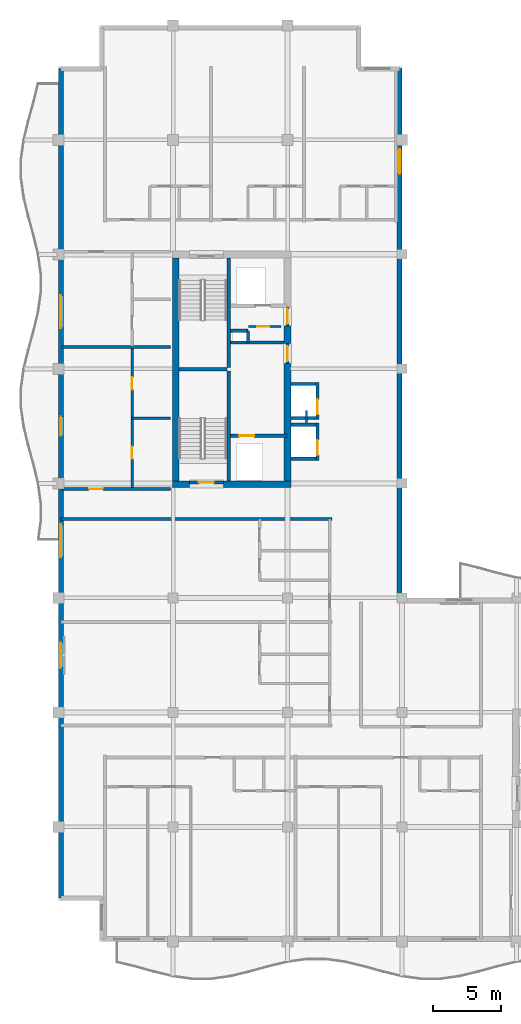
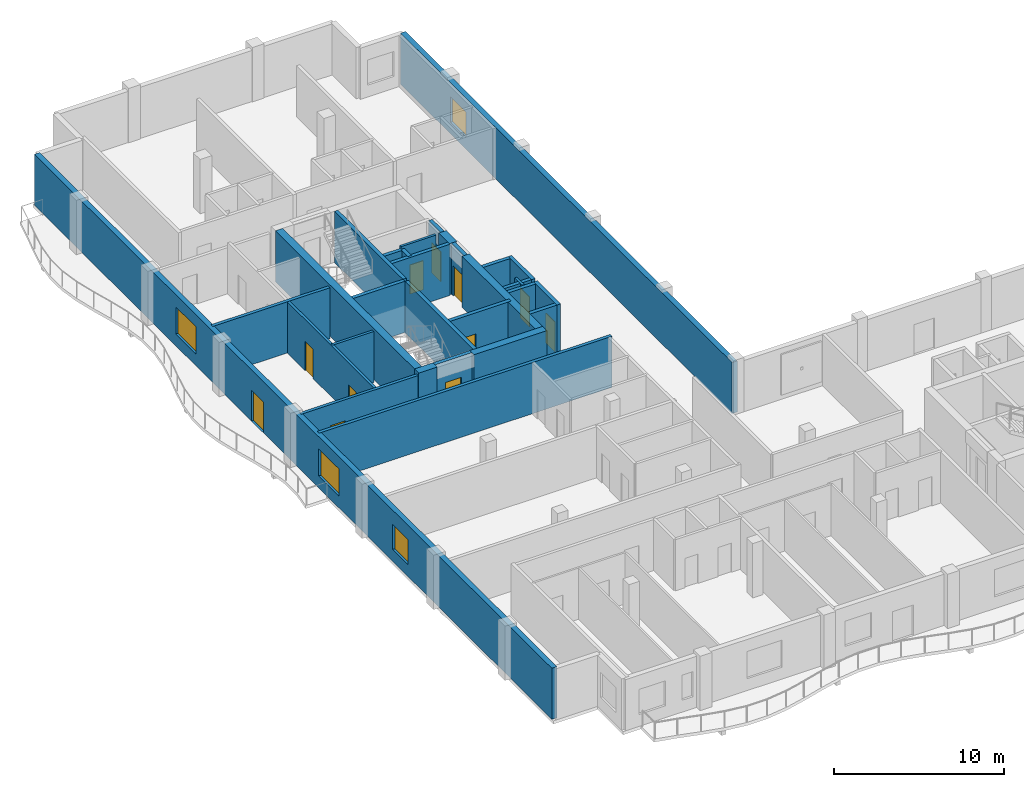
# One storey, part 6 of 12: 30 walls, 11 doors, 4 windows, 15 openings.
"""IFC4 building model written with IfcOpenShell, lengths in metres."""

import ifcopenshell
import ifcopenshell.guid

model = None  # the IFC model being written
_history = None  # IfcOwnerHistory: only IFC2X3 demands one
_inside = {}  # id of a spatial element -> (the spatial element, [elements in it])
_under = {}  # id of a project, library or spatial element -> (it, [spatial elements below it])
_declared = {}  # id of a project -> (the project, [libraries it declares])
_typed = {}  # id of a type object -> (the type object, [elements of that type])
_made_of = {}  # id of a material, layer set ... -> (it, [elements and type objects made of it])


def new_model(schema):
    """Start an empty IFC model of exactly this schema.

    Asked for "IFC4X3", IfcOpenShell would pick the latest addendum, in which some entities
    have other attributes; the version numbers below select the first issue.
    IFC2X3 requires an IfcOwnerHistory on every rooted entity: one is made here for all.
    """
    global model, _history
    if schema == "IFC4X3":
        model = ifcopenshell.file(schema_version=(4, 3, 0, 0))
    else:
        model = ifcopenshell.file(schema=schema)
    _inside.clear()
    _under.clear()
    _declared.clear()
    _typed.clear()
    _made_of.clear()
    _history = None
    if model.schema == "IFC2X3":
        org = make("IfcOrganization", Name="unknown")
        user = make(
            "IfcPersonAndOrganization",
            ThePerson=make("IfcPerson", FamilyName="unknown"),
            TheOrganization=org,
        )
        app = make(
            "IfcApplication",
            ApplicationDeveloper=org,
            Version="unknown",
            ApplicationFullName="unknown",
            ApplicationIdentifier="unknown",
        )
        _history = make(
            "IfcOwnerHistory",
            OwningUser=user,
            OwningApplication=app,
            ChangeAction="ADDED",
            CreationDate=0,
        )
    return model


def make(cls, **values):
    """One entity of the class cls with the attributes given. An attribute that is None is left unset."""
    return model.create_entity(
        cls, **{name: value for name, value in values.items() if value is not None}
    )


def rooted(cls, **values):
    """An entity with a GlobalId (a new one), such as an element, a storey or a relation."""
    return make(cls, GlobalId=ifcopenshell.guid.new(), OwnerHistory=_history, **values)


def si_unit(unit_type, name, prefix=None):
    """IfcSIUnit, for example si_unit("LENGTHUNIT", "METRE", prefix="MILLI")."""
    return make("IfcSIUnit", UnitType=unit_type, Prefix=prefix, Name=name)


def assignment(units):
    """IfcUnitAssignment: the units of a project."""
    return None if units is None else make("IfcUnitAssignment", Units=units)


def point(xyz):
    """IfcCartesianPoint."""
    return None if xyz is None else make("IfcCartesianPoint", Coordinates=xyz)


def direction(xyz):
    """IfcDirection."""
    return None if xyz is None else make("IfcDirection", DirectionRatios=xyz)


def frame(location, z_axis=None, x_axis=None):
    """IfcAxis2Placement3D, a coordinate frame: its origin and axes. An axis left out is left unset."""
    return make(
        "IfcAxis2Placement3D",
        Location=point(location),
        Axis=direction(z_axis),
        RefDirection=direction(x_axis),
    )


def frame_2d(location, x_axis=None):
    """IfcAxis2Placement2D, a coordinate frame in the plane: its origin and x axis."""
    return make(
        "IfcAxis2Placement2D", Location=point(location), RefDirection=direction(x_axis)
    )


def origin():
    """The frame at (0, 0, 0) with its axes left unset."""
    return frame((0.0, 0.0, 0.0))


def place(relative_to, where):
    """IfcLocalPlacement: puts the frame where relative to a parent placement (None: the world)."""
    return make(
        "IfcLocalPlacement", PlacementRelTo=relative_to, RelativePlacement=where
    )


def context(
    kind, dimensions, precision=None, world=None, true_north=None, identifier=None
):
    """IfcGeometricRepresentationContext, for example the 3D "Model" context."""
    return make(
        "IfcGeometricRepresentationContext",
        ContextIdentifier=identifier,
        ContextType=kind,
        CoordinateSpaceDimension=dimensions,
        Precision=precision,
        WorldCoordinateSystem=world,
        TrueNorth=true_north,
    )


def subcontext(parent, identifier, kind, view, scale=None):
    """IfcGeometricRepresentationSubContext, for example "Body" below "Model"."""
    return make(
        "IfcGeometricRepresentationSubContext",
        ContextIdentifier=identifier,
        ContextType=kind,
        ParentContext=parent,
        TargetScale=scale,
        TargetView=view,
    )


def project(units=None, contexts=None):
    """IfcProject with its units and contexts."""
    return rooted(
        "IfcProject",
        Name="project",
        RepresentationContexts=contexts,
        UnitsInContext=assignment(units),
    )


def spatial(cls, under=None, at=None, **own):
    """A site, building, storey or space (cls), placed at a placement, below another one or the project."""
    s = rooted(cls, ObjectPlacement=at, **own)
    if under is not None:
        _under.setdefault(under.id(), (under, []))[1].append(s)
    return s


def profile(cls, at=None, kind="AREA", **sizes):
    """A parametric profile (cls). Its sizes go by their IFC names, for example OverallWidth=200.0."""
    return make(cls, ProfileType=kind, Position=at, **sizes)


def rectangle(**sizes):
    """IfcRectangleProfileDef."""
    return profile("IfcRectangleProfileDef", **sizes)


def extrude(swept, where, along, depth):
    """IfcExtrudedAreaSolid: the profile swept, set in the frame where, extruded along a direction by depth."""
    return make(
        "IfcExtrudedAreaSolid",
        SweptArea=swept,
        Position=where,
        ExtrudedDirection=direction(along),
        Depth=depth,
    )


def shape(context_of_items, identifier, shape_type, items):
    """IfcShapeRepresentation: the items that make up one representation, for example the "Body"."""
    return make(
        "IfcShapeRepresentation",
        ContextOfItems=context_of_items,
        RepresentationIdentifier=identifier,
        RepresentationType=shape_type,
        Items=items,
    )


def material(Name=None, Category=None):
    """IfcMaterial."""
    return make("IfcMaterial", Name=Name, Category=Category)


def layer(
    of_material, thickness, ventilated=None, Name=None, Category=None, Priority=None
):
    """IfcMaterialLayer: one layer of a wall or slab, of a material (None: an air gap)."""
    return make(
        "IfcMaterialLayer",
        Material=of_material,
        LayerThickness=thickness,
        IsVentilated=ventilated,
        Name=Name,
        Category=Category,
        Priority=Priority,
    )


def layer_set(layers, Name=None):
    """IfcMaterialLayerSet."""
    return make("IfcMaterialLayerSet", MaterialLayers=layers, LayerSetName=Name)


def made_of(thing, what):
    """Note that an element or type object is made of a material, layer set ...; save() writes the relation."""
    if what is not None:
        _made_of.setdefault(what.id(), (what, []))[1].append(thing)
    return thing


def type_object(cls, material=None, **own):
    """A type object (cls), such as IfcWallType, which elements share."""
    return made_of(rooted(cls, **own), material)


def element(
    cls,
    number,
    at=None,
    inside=None,
    cuts=None,
    type_object=None,
    material=None,
    context=None,
    identifier="Body",
    shape_type=None,
    held_by="IfcProductDefinitionShape",
    body=None,
    shapes=None,
    **own,
):
    """One element of the class cls, such as IfcWall. Its Tag is "e" and its number.

    at: its placement. inside: the storey or other place that contains it. cuts: it is an
    opening in that element (IfcRelVoidsElement). A single representation is given by context,
    identifier, shape_type and body (its items); several are given by shapes. held_by: the class
    of the entity that holds the representations. save() writes the other relations.
    """
    e = rooted(cls, Tag="e%d" % number, ObjectPlacement=at, **own)
    if body is not None:
        shapes = [shape(context, identifier, shape_type, body)]
    if shapes is not None:
        e.Representation = make(held_by, Representations=shapes)
    if inside is not None:
        _inside.setdefault(inside.id(), (inside, []))[1].append(e)
    if cuts is not None:
        rooted(
            "IfcRelVoidsElement", RelatingBuildingElement=cuts, RelatedOpeningElement=e
        )
    if type_object is not None:
        _typed.setdefault(type_object.id(), (type_object, []))[1].append(e)
    return made_of(e, material)


def fill(opening, filler):
    """IfcRelFillsElement: the door or window that sits in an opening."""
    return rooted(
        "IfcRelFillsElement",
        RelatingOpeningElement=opening,
        RelatedBuildingElement=filler,
    )


def aggregate(whole, parts):
    """IfcRelAggregates: a whole, such as a stair, and the parts it consists of."""
    return rooted("IfcRelAggregates", RelatingObject=whole, RelatedObjects=parts)


def save(model, path):
    """Write the relations noted so far, then the file.

    IfcRelAggregates (storeys below a building ...), IfcRelContainedInSpatialStructure (elements
    in a storey), IfcRelDefinesByType, IfcRelAssociatesMaterial and IfcRelDeclares: one each for
    every whole, place, type object, material and project.
    """
    for whole, parts in _under.values():
        aggregate(whole, parts)
    for where, things in _inside.values():
        rooted(
            "IfcRelContainedInSpatialStructure",
            RelatedElements=things,
            RelatingStructure=where,
        )
    for kind, things in _typed.values():
        rooted("IfcRelDefinesByType", RelatedObjects=things, RelatingType=kind)
    for what, things in _made_of.values():
        rooted("IfcRelAssociatesMaterial", RelatedObjects=things, RelatingMaterial=what)
    for by, libraries in _declared.values():
        rooted("IfcRelDeclares", RelatingContext=by, RelatedDefinitions=libraries)
    model.write(path)


model = new_model("IFC4")

# Units and contexts
model_context = context("Model", 3, precision=1e-05, world=origin(), true_north=direction((0.0, 1.0)))
body_context = subcontext(model_context, "Body", "Model", "MODEL_VIEW")
ifc_project = project(units=[si_unit("LENGTHUNIT", "METRE"), si_unit("AREAUNIT", "SQUARE_METRE"), si_unit("VOLUMEUNIT", "CUBIC_METRE"), si_unit("PLANEANGLEUNIT", "RADIAN"), si_unit("MASSUNIT", "GRAM", prefix="KILO")], contexts=[model_context])

# Site, building, storey
site_placement = place(None, origin())
site = spatial("IfcSite", under=ifc_project, at=site_placement, CompositionType="ELEMENT")
building_placement = place(site_placement, origin())
building = spatial("IfcBuilding", under=site, at=building_placement, Name="Koriwani Terraces Tower", CompositionType="ELEMENT")
storey_placement = place(building_placement, frame((0.0, 0.0, 328.10009765625)))
storey = spatial("IfcBuildingStorey", under=building, at=storey_placement, Name="L81", CompositionType="ELEMENT", Elevation=328.10009765625)

# Walls
ifc_material_1 = material(Name="Concrete C50/60", Category="concrete")
ifc_layer_1 = layer(ifc_material_1, 0.5, Name="Concrete C50/60")
ifc_layer_set_1 = layer_set([ifc_layer_1], Name="Concrete C50/60")
wall_type_1 = type_object("IfcWallType", Name="WALL_CORE_RC_500", PredefinedType="SHEAR", material=ifc_layer_set_1)
wall_1_placement = place(storey_placement, frame((16.75, 41.949951171875, 0.0), z_axis=(0.0, 0.0, 1.0), x_axis=(1.0, 0.0, 0.0)))
element("IfcWall", 1, at=wall_1_placement, inside=storey, type_object=wall_type_1, Name="L81 West Split Core Shear Wall S1", PredefinedType="SHEAR", context=body_context, shape_type="SweptSolid", body=[
    extrude(rectangle(XDim=1.25, YDim=0.5, at=frame_2d((0.625, 0.0))), origin(), (0.0, 0.0, 1.0), 3.669921875),
])
wall_2_placement = place(storey_placement, frame((20.5, 41.949951171875, 0.0), z_axis=(0.0, 0.0, 1.0), x_axis=(1.0, 0.0, 0.0)))
element("IfcWall", 2, at=wall_2_placement, inside=storey, type_object=wall_type_1, Name="L81 West Split Core Shear Wall S2", PredefinedType="SHEAR", context=body_context, shape_type="SweptSolid", body=[
    extrude(rectangle(XDim=4.949951171875, YDim=0.5, at=frame_2d((2.47509765625, 0.0))), origin(), (0.0, 0.0, 1.0), 3.669921875),
])
wall_3_placement = place(storey_placement, frame((17.0, 42.199951171875, 0.0), z_axis=(0.0, 0.0, 1.0), x_axis=(0.0, 1.0, 0.0)))
element("IfcWall", 3, at=wall_3_placement, inside=storey, type_object=wall_type_1, Name="L81 West Split Core Shear Wall W1", PredefinedType="SHEAR", context=body_context, shape_type="SweptSolid", body=[
    extrude(rectangle(XDim=16.35009765625, YDim=0.5, at=frame_2d((8.175048828125, 0.0))), origin(), (0.0, 0.0, 1.0), 3.669921875),
])
wall_4_placement = place(storey_placement, frame((25.199951171875, 42.199951171875, 0.0), z_axis=(0.0, 0.0, 1.0), x_axis=(0.0, 1.0, 0.0)))
element("IfcWall", 4, at=wall_4_placement, inside=storey, type_object=wall_type_1, Name="L81 West Split Core Shear Wall E1", PredefinedType="SHEAR", context=body_context, shape_type="SweptSolid", body=[
    extrude(rectangle(XDim=8.60009765625, YDim=0.5, at=frame_2d((4.300048828125, 0.0))), origin(), (0.0, 0.0, 1.0), 3.669921875),
])
wall_5_placement = place(storey_placement, frame((25.199951171875, 52.280029296875, 0.0), z_axis=(0.0, 0.0, 1.0), x_axis=(0.0, 1.0, 0.0)))
element("IfcWall", 5, at=wall_5_placement, inside=storey, type_object=wall_type_1, Name="L81 West Split Core Shear Wall E2", PredefinedType="SHEAR", context=body_context, shape_type="SweptSolid", body=[
    extrude(rectangle(XDim=1.27001953125, YDim=0.5, at=frame_2d((0.635009765625, 0.0))), origin(), (0.0, 0.0, 1.0), 3.669921875),
])

# Wall, opening, door
ifc_material_2 = material(Name="Autoclaved Cellular Concrete Blockwork", Category="masonry")
ifc_layer_2 = layer(ifc_material_2, 0.199951171875, Name="Autoclaved Cellular Concrete Blockwork")
ifc_layer_set_2 = layer_set([ifc_layer_2], Name="Autoclaved Cellular Concrete Blockwork")
wall_type_2 = type_object("IfcWallType", Name="WALL_CORRIDOR_200", PredefinedType="PARTITIONING", material=ifc_layer_set_2)
wall_6_placement = place(storey_placement, frame((8.64990234375, 41.60009765625, 0.0), z_axis=(0.0, 0.0, 1.0), x_axis=(1.0, 0.0, 0.0)))
wall_6 = element("IfcWall", 6, at=wall_6_placement, inside=storey, type_object=wall_type_2, Name="L81 Interior Wall WRZ4-WS-L81", PredefinedType="PARTITIONING", context=body_context, shape_type="SweptSolid", body=[
    extrude(rectangle(XDim=7.9501953125, YDim=0.199951171875, at=frame_2d((3.97509765625, 0.0))), origin(), (0.0, 0.0, 1.0), 3.669921875),
])
opening_1_placement = place(wall_6_placement, frame((2.0, 0.0, 0.0)))
opening_1 = element("IfcOpeningElement", 7, at=opening_1_placement, cuts=wall_6, Name="Opening D-05", PredefinedType="OPENING", context=body_context, shape_type="SweptSolid", body=[
    extrude(rectangle(XDim=1.0, YDim=2.14990234375, at=frame_2d((0.5, 1.074951171875))), frame((0.0, 0.10986328125, 0.0), z_axis=(0.0, -1.0, 0.0), x_axis=(1.0, 0.0, 0.0)), (0.0, 0.0, 1.0), 0.219970703125),
])
ifc_material_3 = material(Name="Architectural Oak Fire Door", Category="wood")
door_type_1 = type_object("IfcDoorType", Name="DOOR_SUITE_ENTRY_1000X2150", OperationType="NOTDEFINED", PredefinedType="DOOR", material=ifc_material_3)
door_1_placement = place(opening_1_placement, origin())
door_1 = element("IfcDoor", 8, at=door_1_placement, inside=storey, type_object=door_type_1, Name="Apartment 81RW1 Entrance Door", OperationType="SINGLE_SWING_RIGHT", OverallHeight=2.14990234375, OverallWidth=1.0, PredefinedType="DOOR", context=body_context, shape_type="SweptSolid", body=[
    extrude(rectangle(XDim=1.0, YDim=2.14990234375, at=frame_2d((0.5, 1.074951171875))), frame((0.0, 0.02490234375, 0.0), z_axis=(0.0, -1.0, 0.0), x_axis=(1.0, 0.0, 0.0)), (0.0, 0.0, 1.0), 0.050048828125),
])
fill(opening_1, door_1)

# Walls
ifc_layer_3 = layer(ifc_material_2, 0.219970703125, Name="Autoclaved Cellular Concrete Blockwork")
ifc_layer_set_3 = layer_set([ifc_layer_3], Name="Autoclaved Cellular Concrete Blockwork")
wall_type_3 = type_object("IfcWallType", Name="WALL_DEMISING_220", PredefinedType="PARTITIONING", material=ifc_layer_set_3)
wall_7_placement = place(storey_placement, frame((8.64990234375, 52.0, 0.0), z_axis=(0.0, 0.0, 1.0), x_axis=(1.0, 0.0, 0.0)))
element("IfcWall", 9, at=wall_7_placement, inside=storey, type_object=wall_type_3, Name="L81 Interior Wall WRZ4-WM-L81", PredefinedType="PARTITIONING", context=body_context, shape_type="SweptSolid", body=[
    extrude(rectangle(XDim=7.9501953125, YDim=0.219970703125, at=frame_2d((3.97509765625, 0.0))), origin(), (0.0, 0.0, 1.0), 3.669921875),
])
wall_8_placement = place(storey_placement, frame((8.60009765625, 39.39990234375, 0.0), z_axis=(0.0, 0.0, 1.0), x_axis=(1.0, 0.0, 0.0)))
element("IfcWall", 10, at=wall_8_placement, inside=storey, type_object=wall_type_3, Name="L81 Interior Wall WRDEME-L81-NE", PredefinedType="PARTITIONING", context=body_context, shape_type="SweptSolid", body=[
    extrude(rectangle(XDim=19.8798828125, YDim=0.219970703125, at=frame_2d((9.93994140625, 0.0))), origin(), (0.0, 0.0, 1.0), 3.669921875),
])

# Wall, openings, door, windows
ifc_layer_4 = layer(ifc_material_1, 0.35009765625, Name="Concrete C50/60")
ifc_layer_set_4 = layer_set([ifc_layer_4], Name="Concrete C50/60")
wall_type_4 = type_object("IfcWallType", Name="WALL_EXT_BRUTALIST_350", PredefinedType="STANDARD", material=ifc_layer_set_4)
wall_9_placement = place(storey_placement, frame((8.574951171875, 11.574951171875, 0.0), z_axis=(0.0, 0.0, 1.0), x_axis=(0.0, 1.0, 0.0)))
wall_9 = element("IfcWall", 11, at=wall_9_placement, inside=storey, type_object=wall_type_4, Name="L81 Fair-Faced Brutalist Exterior Wall (W)", PredefinedType="STANDARD", context=body_context, shape_type="SweptSolid", body=[
    extrude(rectangle(XDim=60.85009765625, YDim=0.35009765625, at=frame_2d((30.425048828125, 0.0))), origin(), (0.0, 0.0, 1.0), 3.669921875),
])
opening_2_placement = place(wall_9_placement, frame((33.925048828125, 0.0, 0.0)))
opening_2 = element("IfcOpeningElement", 12, at=opening_2_placement, cuts=wall_9, Name="Opening D-09", PredefinedType="OPENING", context=body_context, shape_type="SweptSolid", body=[
    extrude(rectangle(XDim=1.39990234375, YDim=2.199951171875, at=frame_2d((0.699951171875, 1.10009765625))), frame((0.0, 0.18505859375, 0.0), z_axis=(0.0, -1.0, 0.0), x_axis=(1.0, 0.0, 0.0)), (0.0, 0.0, 1.0), 0.3701171875),
])
opening_3_placement = place(wall_9_placement, frame((16.925048828125, 0.0, 0.85009765625)))
opening_3 = element("IfcOpeningElement", 13, at=opening_3_placement, cuts=wall_9, Name="Opening W-04", PredefinedType="OPENING", context=body_context, shape_type="SweptSolid", body=[
    extrude(rectangle(XDim=1.800048828125, YDim=1.800048828125, at=frame_2d((0.89990234375, 0.89990234375))), frame((0.0, 0.18505859375, 0.0), z_axis=(0.0, -1.0, 0.0), x_axis=(1.0, 0.0, 0.0)), (0.0, 0.0, 1.0), 0.3701171875),
])
opening_4_placement = place(wall_9_placement, frame((25.02490234375, 0.0, 0.85009765625)))
opening_4 = element("IfcOpeningElement", 14, at=opening_4_placement, cuts=wall_9, Name="Opening W-03", PredefinedType="OPENING", context=body_context, shape_type="SweptSolid", body=[
    extrude(rectangle(XDim=2.39990234375, YDim=1.949951171875, at=frame_2d((1.199951171875, 0.97509765625))), frame((0.0, 0.18505859375, 0.0), z_axis=(0.0, -1.0, 0.0), x_axis=(1.0, 0.0, 0.0)), (0.0, 0.0, 1.0), 0.3701171875),
])
opening_5_placement = place(wall_9_placement, frame((41.824951171875, 0.0, 0.85009765625)))
opening_5 = element("IfcOpeningElement", 15, at=opening_5_placement, cuts=wall_9, Name="Opening W-03", PredefinedType="OPENING", context=body_context, shape_type="SweptSolid", body=[
    extrude(rectangle(XDim=2.39990234375, YDim=1.949951171875, at=frame_2d((1.199951171875, 0.97509765625))), frame((0.0, 0.18505859375, 0.0), z_axis=(0.0, -1.0, 0.0), x_axis=(1.0, 0.0, 0.0)), (0.0, 0.0, 1.0), 0.3701171875),
])
ifc_material_4 = material(Name="Anodised Bronze Aluminium", Category="aluminium")
door_type_2 = type_object("IfcDoorType", Name="DOOR_BALCONY_GLAZED_1400X2200", OperationType="NOTDEFINED", PredefinedType="DOOR", material=ifc_material_4)
door_2_placement = place(opening_2_placement, origin())
door_2 = element("IfcDoor", 16, at=door_2_placement, inside=storey, type_object=door_type_2, Name="L81 West Balcony Glazed Door", OperationType="SINGLE_SWING_LEFT", OverallHeight=2.199951171875, OverallWidth=1.39990234375, PredefinedType="DOOR", context=body_context, shape_type="SweptSolid", body=[
    extrude(rectangle(XDim=1.39990234375, YDim=2.199951171875, at=frame_2d((0.699951171875, 1.10009765625))), frame((0.0, 0.02490234375, 0.0), z_axis=(0.0, -1.0, 0.0), x_axis=(1.0, 0.0, 0.0)), (0.0, 0.0, 1.0), 0.050048828125),
])
fill(opening_2, door_2)
ifc_material_5 = material(Name="Tempered Laminated Low-E Glass", Category="glass")
window_type_1 = type_object("IfcWindowType", Name="WIN_RES_BED_1800X1800", PartitioningType="DOUBLE_PANEL_VERTICAL", PredefinedType="WINDOW", material=ifc_material_5)
window_1_placement = place(opening_3_placement, origin())
window_1 = element("IfcWindow", 17, at=window_1_placement, inside=storey, type_object=window_type_1, Name="L81 Exterior Window (W-6)", OverallHeight=1.800048828125, OverallWidth=1.800048828125, PartitioningType="SINGLE_PANEL", PredefinedType="WINDOW", context=body_context, shape_type="SweptSolid", body=[
    extrude(rectangle(XDim=1.800048828125, YDim=1.800048828125, at=frame_2d((0.89990234375, 0.89990234375))), frame((0.0, 0.030029296875, 0.0), z_axis=(0.0, -1.0, 0.0), x_axis=(1.0, 0.0, 0.0)), (0.0, 0.0, 1.0), 0.06005859375),
])
fill(opening_3, window_1)
window_type_2 = type_object("IfcWindowType", Name="WIN_RES_LIVING_2400X1950", PartitioningType="DOUBLE_PANEL_VERTICAL", PredefinedType="WINDOW", material=ifc_material_5)
window_2_placement = place(opening_4_placement, origin())
window_2 = element("IfcWindow", 18, at=window_2_placement, inside=storey, type_object=window_type_2, Name="L81 Exterior Window (W-9)", OverallHeight=1.949951171875, OverallWidth=2.39990234375, PartitioningType="SINGLE_PANEL", PredefinedType="WINDOW", context=body_context, shape_type="SweptSolid", body=[
    extrude(rectangle(XDim=2.39990234375, YDim=1.949951171875, at=frame_2d((1.199951171875, 0.97509765625))), frame((0.0, 0.030029296875, 0.0), z_axis=(0.0, -1.0, 0.0), x_axis=(1.0, 0.0, 0.0)), (0.0, 0.0, 1.0), 0.06005859375),
])
fill(opening_4, window_2)
window_3_placement = place(opening_5_placement, origin())
window_3 = element("IfcWindow", 19, at=window_3_placement, inside=storey, type_object=window_type_2, Name="L81 Exterior Window (W-15)", OverallHeight=1.949951171875, OverallWidth=2.39990234375, PartitioningType="SINGLE_PANEL", PredefinedType="WINDOW", context=body_context, shape_type="SweptSolid", body=[
    extrude(rectangle(XDim=2.39990234375, YDim=1.949951171875, at=frame_2d((1.199951171875, 0.97509765625))), frame((0.0, 0.030029296875, 0.0), z_axis=(0.0, -1.0, 0.0), x_axis=(1.0, 0.0, 0.0)), (0.0, 0.0, 1.0), 0.06005859375),
])
fill(opening_5, window_3)

# Wall, opening, window
wall_10_placement = place(storey_placement, frame((33.425048828125, 72.425048828125, 0.0), z_axis=(0.0, 0.0, 1.0), x_axis=(0.0, -1.0, 0.0)))
wall_10 = element("IfcWall", 20, at=wall_10_placement, inside=storey, type_object=wall_type_4, Name="L81 Fair-Faced Brutalist Exterior Wall (NW_IN)", PredefinedType="STANDARD", context=body_context, shape_type="SweptSolid", body=[
    extrude(rectangle(XDim=39.0, YDim=0.35009765625, at=frame_2d((19.5, 0.0))), origin(), (0.0, 0.0, 1.0), 3.669921875),
])
opening_6_placement = place(wall_10_placement, frame((5.89990234375, 0.0, 0.85009765625)))
opening_6 = element("IfcOpeningElement", 21, at=opening_6_placement, cuts=wall_10, Name="Opening W-04", PredefinedType="OPENING", context=body_context, shape_type="SweptSolid", body=[
    extrude(rectangle(XDim=1.800048828125, YDim=1.800048828125, at=frame_2d((0.89990234375, 0.89990234375))), frame((0.0, 0.18505859375, 0.0), z_axis=(0.0, -1.0, 0.0), x_axis=(1.0, 0.0, 0.0)), (0.0, 0.0, 1.0), 0.3701171875),
])
window_4_placement = place(opening_6_placement, origin())
window_4 = element("IfcWindow", 22, at=window_4_placement, inside=storey, type_object=window_type_1, Name="L81 Exterior Window (NW_IN-R54)", OverallHeight=1.800048828125, OverallWidth=1.800048828125, PartitioningType="SINGLE_PANEL", PredefinedType="WINDOW", context=body_context, shape_type="SweptSolid", body=[
    extrude(rectangle(XDim=1.800048828125, YDim=1.800048828125, at=frame_2d((0.89990234375, 0.89990234375))), frame((0.0, 0.030029296875, 0.0), z_axis=(0.0, -1.0, 0.0), x_axis=(1.0, 0.0, 0.0)), (0.0, 0.0, 1.0), 0.06005859375),
])
fill(opening_6, window_4)

# Wall, openings, doors
ifc_material_6 = material(Name="Fire-Rated Acoustic Gypsum Partition", Category="masonry")
ifc_layer_5 = layer(ifc_material_6, 0.179931640625, Name="Fire-Rated Acoustic Gypsum Partition")
ifc_layer_set_5 = layer_set([ifc_layer_5], Name="Fire-Rated Acoustic Gypsum Partition")
wall_type_5 = type_object("IfcWallType", Name="WALL_PLUMBING_180", PredefinedType="PLUMBINGWALL", material=ifc_layer_set_5)
wall_11_placement = place(storey_placement, frame((13.800048828125, 41.699951171875, 0.0), z_axis=(0.0, 0.0, 1.0), x_axis=(0.0, 1.0, 0.0)))
wall_11 = element("IfcWall", 23, at=wall_11_placement, inside=storey, type_object=wall_type_5, Name="L81 Interior Wall WRZ4-RW1-PB-L81", PredefinedType="PLUMBINGWALL", context=body_context, shape_type="SweptSolid", body=[
    extrude(rectangle(XDim=10.199951171875, YDim=0.179931640625, at=frame_2d((5.10009765625, 0.0))), origin(), (0.0, 0.0, 1.0), 3.669921875),
])
opening_7_placement = place(wall_11_placement, frame((2.10009765625, 0.0, 0.0)))
opening_7 = element("IfcOpeningElement", 24, at=opening_7_placement, cuts=wall_11, Name="Opening D-07", PredefinedType="OPENING", context=body_context, shape_type="SweptSolid", body=[
    extrude(rectangle(XDim=0.89990234375, YDim=2.10009765625, at=frame_2d((0.449951171875, 1.050048828125))), frame((0.0, 0.10009765625, 0.0), z_axis=(0.0, -1.0, 0.0), x_axis=(1.0, 0.0, 0.0)), (0.0, 0.0, 1.0), 0.199951171875),
])
opening_8_placement = place(wall_11_placement, frame((7.18994140625, 0.0, 0.0)))
opening_8 = element("IfcOpeningElement", 25, at=opening_8_placement, cuts=wall_11, Name="Opening D-06", PredefinedType="OPENING", context=body_context, shape_type="SweptSolid", body=[
    extrude(rectangle(XDim=0.919921875, YDim=2.10009765625, at=frame_2d((0.4599609375, 1.050048828125))), frame((0.0, 0.10009765625, 0.0), z_axis=(0.0, -1.0, 0.0), x_axis=(1.0, 0.0, 0.0)), (0.0, 0.0, 1.0), 0.199951171875),
])
door_type_3 = type_object("IfcDoorType", Name="DOOR_BATH_INT_900X2100", OperationType="NOTDEFINED", PredefinedType="DOOR", material=ifc_material_3)
door_3_placement = place(opening_7_placement, origin())
door_3 = element("IfcDoor", 26, at=door_3_placement, inside=storey, type_object=door_type_3, Name="Apartment 81RW1 Bathroom Door", OperationType="SINGLE_SWING_RIGHT", OverallHeight=2.10009765625, OverallWidth=0.89990234375, PredefinedType="DOOR", context=body_context, shape_type="SweptSolid", body=[
    extrude(rectangle(XDim=0.89990234375, YDim=2.10009765625, at=frame_2d((0.449951171875, 1.050048828125))), frame((0.0, 0.02490234375, 0.0), z_axis=(0.0, -1.0, 0.0), x_axis=(1.0, 0.0, 0.0)), (0.0, 0.0, 1.0), 0.050048828125),
])
fill(opening_7, door_3)
door_type_4 = type_object("IfcDoorType", Name="DOOR_ROOM_INT_920X2100", OperationType="NOTDEFINED", PredefinedType="DOOR", material=ifc_material_3)
door_4_placement = place(opening_8_placement, origin())
door_4 = element("IfcDoor", 27, at=door_4_placement, inside=storey, type_object=door_type_4, Name="Apartment 81RW1 Kitchen Door", OperationType="SINGLE_SWING_LEFT", OverallHeight=2.10009765625, OverallWidth=0.919921875, PredefinedType="DOOR", context=body_context, shape_type="SweptSolid", body=[
    extrude(rectangle(XDim=0.919921875, YDim=2.10009765625, at=frame_2d((0.4599609375, 1.050048828125))), frame((0.0, 0.02490234375, 0.0), z_axis=(0.0, -1.0, 0.0), x_axis=(1.0, 0.0, 0.0)), (0.0, 0.0, 1.0), 0.050048828125),
])
fill(opening_8, door_4)

# Walls
wall_12_placement = place(storey_placement, frame((13.800048828125, 46.800048828125, 0.0), z_axis=(0.0, 0.0, 1.0), x_axis=(1.0, 0.0, 0.0)))
element("IfcWall", 28, at=wall_12_placement, inside=storey, type_object=wall_type_5, Name="L81 Interior Wall WRZ4-RW1-P2-L81", PredefinedType="PLUMBINGWALL", context=body_context, shape_type="SweptSolid", body=[
    extrude(rectangle(XDim=2.800048828125, YDim=0.179931640625, at=frame_2d((1.39990234375, 0.0))), origin(), (0.0, 0.0, 1.0), 3.669921875),
])
ifc_material_7 = material(Name="Concrete C40/50", Category="concrete")
ifc_layer_6 = layer(ifc_material_7, 0.25, Name="Concrete C40/50")
ifc_layer_set_6 = layer_set([ifc_layer_6], Name="Concrete C40/50")
wall_type_6 = type_object("IfcWallType", Name="WALL_SHAFT_RATED_250", PredefinedType="SOLIDWALL", material=ifc_layer_set_6)
for number, where, z_axis, x_axis, name in (
    (29, (20.875, 42.199951171875, 0.0), (0.0, 0.0, 1.0), (0.0, 1.0, 0.0), "L81 West Split Core Web Wall MID1"),
    (30, (20.875, 50.5, 0.0), (0.0, 0.0, 1.0), (0.0, 1.0, 0.0), "L81 West Split Core Web Wall MID2"),
):
    element("IfcWall", number, at=place(storey_placement, frame(where, z_axis=z_axis, x_axis=x_axis)), inside=storey, type_object=wall_type_6, Name=name, PredefinedType="SOLIDWALL", context=body_context, shape_type="SweptSolid", body=[
        extrude(rectangle(XDim=8.050048828125, YDim=0.25, at=frame_2d((4.02490234375, 0.0))), origin(), (0.0, 0.0, 1.0), 3.669921875),
    ])
wall_13_placement = place(storey_placement, frame((17.25, 50.375, 0.0), z_axis=(0.0, 0.0, 1.0), x_axis=(1.0, 0.0, 0.0)))
element("IfcWall", 31, at=wall_13_placement, inside=storey, type_object=wall_type_6, Name="L81 West Split Core Stair Dividing Wall", PredefinedType="SOLIDWALL", context=body_context, shape_type="SweptSolid", body=[
    extrude(rectangle(XDim=3.5, YDim=0.25, at=frame_2d((1.75, 0.0))), origin(), (0.0, 0.0, 1.0), 3.669921875),
])

# Wall, opening, door
wall_14_placement = place(storey_placement, frame((18.0, 42.074951171875, 0.0), z_axis=(0.0, 0.0, 1.0), x_axis=(1.0, 0.0, 0.0)))
wall_14 = element("IfcWall", 32, at=wall_14_placement, inside=storey, type_object=wall_type_6, Name="L81 Interior Wall WIN-CW-L81-STS", PredefinedType="SOLIDWALL", context=body_context, shape_type="SweptSolid", body=[
    extrude(rectangle(XDim=2.5, YDim=0.25, at=frame_2d((1.25, 0.0))), origin(), (0.0, 0.0, 1.0), 3.669921875),
])
opening_9_placement = place(wall_14_placement, frame((0.699951171875, 0.0, 0.0)))
opening_9 = element("IfcOpeningElement", 33, at=opening_9_placement, cuts=wall_14, Name="Opening D-03", PredefinedType="OPENING", context=body_context, shape_type="SweptSolid", body=[
    extrude(rectangle(XDim=1.10009765625, YDim=2.14990234375, at=frame_2d((0.550048828125, 1.074951171875))), frame((0.0, 0.135009765625, 0.0), z_axis=(0.0, -1.0, 0.0), x_axis=(1.0, 0.0, 0.0)), (0.0, 0.0, 1.0), 0.27001953125),
])
ifc_material_8 = material(Name="Steel ASTM A572 Grade 50", Category="steel")
door_type_5 = type_object("IfcDoorType", Name="DOOR_STAIR_FIRE_1100X2150", OperationType="NOTDEFINED", PredefinedType="DOOR", material=ifc_material_8)
door_5_placement = place(opening_9_placement, origin())
door_5 = element("IfcDoor", 34, at=door_5_placement, inside=storey, type_object=door_type_5, Name="L81 Exit Stair ST-W1 Door", OperationType="SINGLE_SWING_LEFT", OverallHeight=2.14990234375, OverallWidth=1.10009765625, PredefinedType="DOOR", context=body_context, shape_type="SweptSolid", body=[
    extrude(rectangle(XDim=1.10009765625, YDim=2.14990234375, at=frame_2d((0.550048828125, 1.074951171875))), frame((0.0, 0.02490234375, 0.0), z_axis=(0.0, -1.0, 0.0), x_axis=(1.0, 0.0, 0.0)), (0.0, 0.0, 1.0), 0.050048828125),
])
fill(opening_9, door_5)

wall_15_placement = place(storey_placement, frame((21.0, 45.5, 0.0), z_axis=(0.0, 0.0, 1.0), x_axis=(1.0, 0.0, 0.0)))
wall_15 = element("IfcWall", 35, at=wall_15_placement, inside=storey, type_object=wall_type_6, Name="L81 Interior Wall WIN-CW-L81-FE", PredefinedType="SOLIDWALL", context=body_context, shape_type="SweptSolid", body=[
    extrude(rectangle(XDim=4.14990234375, YDim=0.25, at=frame_2d((2.074951171875, 0.0))), origin(), (0.0, 0.0, 1.0), 3.669921875),
])
opening_10_placement = place(wall_15_placement, frame((0.64990234375, 0.0, 0.0)))
opening_10 = element("IfcOpeningElement", 36, at=opening_10_placement, cuts=wall_15, Name="Opening LD-01", PredefinedType="OPENING", context=body_context, shape_type="SweptSolid", body=[
    extrude(rectangle(XDim=1.10009765625, YDim=2.14990234375, at=frame_2d((0.550048828125, 1.074951171875))), frame((0.0, 0.135009765625, 0.0), z_axis=(0.0, -1.0, 0.0), x_axis=(1.0, 0.0, 0.0)), (0.0, 0.0, 1.0), 0.27001953125),
])
door_type_6 = type_object("IfcDoorType", Name="DOOR_LIFT_LANDING_1100X2200", OperationType="NOTDEFINED", PredefinedType="DOOR", material=ifc_material_8)
door_6_placement = place(opening_10_placement, origin())
door_6 = element("IfcDoor", 37, at=door_6_placement, inside=storey, type_object=door_type_6, Name="L81 Firefighting Lift FE-01 Landing Door", OperationType="SLIDING_TO_LEFT", OverallHeight=2.14990234375, OverallWidth=1.10009765625, PredefinedType="DOOR", context=body_context, shape_type="SweptSolid", body=[
    extrude(rectangle(XDim=1.10009765625, YDim=2.14990234375, at=frame_2d((0.550048828125, 1.074951171875))), frame((0.0, 0.02490234375, 0.0), z_axis=(0.0, -1.0, 0.0), x_axis=(1.0, 0.0, 0.0)), (0.0, 0.0, 1.0), 0.050048828125),
])
fill(opening_10, door_6)

wall_16_placement = place(storey_placement, frame((25.199951171875, 50.800048828125, 0.0), z_axis=(0.0, 0.0, 1.0), x_axis=(0.0, 1.0, 0.0)))
wall_16 = element("IfcWall", 38, at=wall_16_placement, inside=storey, type_object=wall_type_6, Name="L81 Interior Wall WIN-CW-L81-EP", PredefinedType="SOLIDWALL", context=body_context, shape_type="SweptSolid", body=[
    extrude(rectangle(XDim=1.47998046875, YDim=0.25, at=frame_2d((0.739990234375, 0.0))), origin(), (0.0, 0.0, 1.0), 3.669921875),
])
opening_11_placement = place(wall_16_placement, frame((0.179931640625, 0.0, 0.0)))
opening_11 = element("IfcOpeningElement", 39, at=opening_11_placement, cuts=wall_16, Name="Opening D-03", PredefinedType="OPENING", context=body_context, shape_type="SweptSolid", body=[
    extrude(rectangle(XDim=1.10009765625, YDim=2.14990234375, at=frame_2d((0.550048828125, 1.074951171875))), frame((0.0, 0.135009765625, 0.0), z_axis=(0.0, -1.0, 0.0), x_axis=(1.0, 0.0, 0.0)), (0.0, 0.0, 1.0), 0.27001953125),
])
door_7_placement = place(opening_11_placement, origin())
door_7 = element("IfcDoor", 40, at=door_7_placement, inside=storey, type_object=door_type_5, Name="L81 West Firefighting Lobby Door", OperationType="SINGLE_SWING_LEFT", OverallHeight=2.14990234375, OverallWidth=1.10009765625, PredefinedType="DOOR", context=body_context, shape_type="SweptSolid", body=[
    extrude(rectangle(XDim=1.10009765625, YDim=2.14990234375, at=frame_2d((0.550048828125, 1.074951171875))), frame((0.0, 0.02490234375, 0.0), z_axis=(0.0, -1.0, 0.0), x_axis=(1.0, 0.0, 0.0)), (0.0, 0.0, 1.0), 0.050048828125),
])
fill(opening_11, door_7)

# Wall
wall_17_placement = place(storey_placement, frame((21.0, 52.340087890625, 0.0), z_axis=(0.0, 0.0, 1.0), x_axis=(1.0, 0.0, 0.0)))
element("IfcWall", 41, at=wall_17_placement, inside=storey, type_object=wall_type_6, Name="L81 Interior Wall WIN-CW-L81-FFN", PredefinedType="SOLIDWALL", context=body_context, shape_type="SweptSolid", body=[
    extrude(rectangle(XDim=3.949951171875, YDim=0.25, at=frame_2d((1.97509765625, 0.0))), origin(), (0.0, 0.0, 1.0), 3.669921875),
])

# Wall, opening, door
wall_18_placement = place(storey_placement, frame((25.199951171875, 53.550048828125, 0.0), z_axis=(0.0, 0.0, 1.0), x_axis=(0.0, 1.0, 0.0)))
wall_18 = element("IfcWall", 42, at=wall_18_placement, inside=storey, type_object=wall_type_6, Name="L81 Interior Wall WIN-CW-L81-EP2", PredefinedType="SOLIDWALL", context=body_context, shape_type="SweptSolid", body=[
    extrude(rectangle(XDim=1.39990234375, YDim=0.25, at=frame_2d((0.699951171875, 0.0))), origin(), (0.0, 0.0, 1.0), 3.669921875),
])
opening_12_placement = place(wall_18_placement, frame((0.14990234375, 0.0, 0.0)))
opening_12 = element("IfcOpeningElement", 43, at=opening_12_placement, cuts=wall_18, Name="Opening D-03", PredefinedType="OPENING", context=body_context, shape_type="SweptSolid", body=[
    extrude(rectangle(XDim=1.10009765625, YDim=2.14990234375, at=frame_2d((0.550048828125, 1.074951171875))), frame((0.0, 0.135009765625, 0.0), z_axis=(0.0, -1.0, 0.0), x_axis=(1.0, 0.0, 0.0)), (0.0, 0.0, 1.0), 0.27001953125),
])
door_8_placement = place(opening_12_placement, origin())
door_8 = element("IfcDoor", 44, at=door_8_placement, inside=storey, type_object=door_type_5, Name="L81 West Goods Lift Lobby Door", OperationType="SINGLE_SWING_RIGHT", OverallHeight=2.14990234375, OverallWidth=1.10009765625, PredefinedType="DOOR", context=body_context, shape_type="SweptSolid", body=[
    extrude(rectangle(XDim=1.10009765625, YDim=2.14990234375, at=frame_2d((0.550048828125, 1.074951171875))), frame((0.0, 0.02490234375, 0.0), z_axis=(0.0, -1.0, 0.0), x_axis=(1.0, 0.0, 0.0)), (0.0, 0.0, 1.0), 0.050048828125),
])
fill(opening_12, door_8)

# Walls
wall_19_placement = place(storey_placement, frame((21.0, 53.199951171875, 0.0), z_axis=(0.0, 0.0, 1.0), x_axis=(1.0, 0.0, 0.0)))
element("IfcWall", 45, at=wall_19_placement, inside=storey, type_object=wall_type_6, Name="L81 Interior Wall WIN-CW-L81-RS1", PredefinedType="SOLIDWALL", context=body_context, shape_type="SweptSolid", body=[
    extrude(rectangle(XDim=1.300048828125, YDim=0.25, at=frame_2d((0.64990234375, 0.0))), origin(), (0.0, 0.0, 1.0), 3.669921875),
])
wall_20_placement = place(storey_placement, frame((22.300048828125, 52.360107421875, 0.0), z_axis=(0.0, 0.0, 1.0), x_axis=(0.0, 1.0, 0.0)))
element("IfcWall", 46, at=wall_20_placement, inside=storey, type_object=wall_type_6, Name="L81 Interior Wall WIN-CW-L81-RS2", PredefinedType="SOLIDWALL", context=body_context, shape_type="SweptSolid", body=[
    extrude(rectangle(XDim=0.83984375, YDim=0.25, at=frame_2d((0.419921875, 0.0))), origin(), (0.0, 0.0, 1.0), 3.669921875),
])

# Wall, opening, door
wall_21_placement = place(storey_placement, frame((27.39990234375, 43.675048828125, 0.0), z_axis=(0.0, 0.0, 1.0), x_axis=(0.0, 1.0, 0.0)))
wall_21 = element("IfcWall", 47, at=wall_21_placement, inside=storey, type_object=wall_type_6, Name="L81 Interior Wall WIN-LF-PE-H1-L81-F", PredefinedType="SOLIDWALL", context=body_context, shape_type="SweptSolid", body=[
    extrude(rectangle(XDim=2.75, YDim=0.25, at=frame_2d((1.375, 0.0))), origin(), (0.0, 0.0, 1.0), 3.669921875),
])
opening_13_placement = place(wall_21_placement, frame((0.39990234375, 0.0, 0.0)))
opening_13 = element("IfcOpeningElement", 48, at=opening_13_placement, cuts=wall_21, Name="Opening LD-01", PredefinedType="OPENING", context=body_context, shape_type="SweptSolid", body=[
    extrude(rectangle(XDim=1.10009765625, YDim=2.14990234375, at=frame_2d((0.550048828125, 1.074951171875))), frame((0.0, 0.135009765625, 0.0), z_axis=(0.0, -1.0, 0.0), x_axis=(1.0, 0.0, 0.0)), (0.0, 0.0, 1.0), 0.27001953125),
])
door_9_placement = place(opening_13_placement, origin())
door_9 = element("IfcDoor", 49, at=door_9_placement, inside=storey, type_object=door_type_6, Name="L81 Passenger Lift PE-H1 Landing Door", OperationType="SLIDING_TO_LEFT", OverallHeight=2.14990234375, OverallWidth=1.10009765625, PredefinedType="DOOR", context=body_context, shape_type="SweptSolid", body=[
    extrude(rectangle(XDim=1.10009765625, YDim=2.14990234375, at=frame_2d((0.550048828125, 1.074951171875))), frame((0.0, 0.02490234375, 0.0), z_axis=(0.0, -1.0, 0.0), x_axis=(1.0, 0.0, 0.0)), (0.0, 0.0, 1.0), 0.050048828125),
])
fill(opening_13, door_9)

# Walls
for number, where, z_axis, x_axis, name in (
    (50, (25.449951171875, 43.800048828125, 0.0), (0.0, 0.0, 1.0), (1.0, 0.0, 0.0), "L81 Interior Wall WIN-LF-PE-H1-L81-S"),
    (51, (25.449951171875, 46.300048828125, 0.0), (0.0, 0.0, 1.0), (1.0, 0.0, 0.0), "L81 Interior Wall WIN-LF-PE-H1-L81-N"),
):
    element("IfcWall", number, at=place(storey_placement, frame(where, z_axis=z_axis, x_axis=x_axis)), inside=storey, type_object=wall_type_6, Name=name, PredefinedType="SOLIDWALL", context=body_context, shape_type="SweptSolid", body=[
        extrude(rectangle(XDim=1.824951171875, YDim=0.25, at=frame_2d((0.91259765625, 0.0))), origin(), (0.0, 0.0, 1.0), 3.669921875),
    ])

# Wall, opening, door
wall_22_placement = place(storey_placement, frame((27.39990234375, 46.675048828125, 0.0), z_axis=(0.0, 0.0, 1.0), x_axis=(0.0, 1.0, 0.0)))
wall_22 = element("IfcWall", 52, at=wall_22_placement, inside=storey, type_object=wall_type_6, Name="L81 Interior Wall WIN-LF-PE-H2-L81-F", PredefinedType="SOLIDWALL", context=body_context, shape_type="SweptSolid", body=[
    extrude(rectangle(XDim=2.75, YDim=0.25, at=frame_2d((1.375, 0.0))), origin(), (0.0, 0.0, 1.0), 3.669921875),
])
opening_14_placement = place(wall_22_placement, frame((0.39990234375, 0.0, 0.0)))
opening_14 = element("IfcOpeningElement", 53, at=opening_14_placement, cuts=wall_22, Name="Opening LD-01", PredefinedType="OPENING", context=body_context, shape_type="SweptSolid", body=[
    extrude(rectangle(XDim=1.10009765625, YDim=2.14990234375, at=frame_2d((0.550048828125, 1.074951171875))), frame((0.0, 0.135009765625, 0.0), z_axis=(0.0, -1.0, 0.0), x_axis=(1.0, 0.0, 0.0)), (0.0, 0.0, 1.0), 0.27001953125),
])
door_10_placement = place(opening_14_placement, origin())
door_10 = element("IfcDoor", 54, at=door_10_placement, inside=storey, type_object=door_type_6, Name="L81 Passenger Lift PE-H2 Landing Door", OperationType="SLIDING_TO_LEFT", OverallHeight=2.14990234375, OverallWidth=1.10009765625, PredefinedType="DOOR", context=body_context, shape_type="SweptSolid", body=[
    extrude(rectangle(XDim=1.10009765625, YDim=2.14990234375, at=frame_2d((0.550048828125, 1.074951171875))), frame((0.0, 0.02490234375, 0.0), z_axis=(0.0, -1.0, 0.0), x_axis=(1.0, 0.0, 0.0)), (0.0, 0.0, 1.0), 0.050048828125),
])
fill(opening_14, door_10)

# Walls
for number, where, z_axis, x_axis, name in (
    (55, (25.449951171875, 46.800048828125, 0.0), (0.0, 0.0, 1.0), (1.0, 0.0, 0.0), "L81 Interior Wall WIN-LF-PE-H2-L81-S"),
    (56, (25.449951171875, 49.300048828125, 0.0), (0.0, 0.0, 1.0), (1.0, 0.0, 0.0), "L81 Interior Wall WIN-LF-PE-H2-L81-N"),
):
    element("IfcWall", number, at=place(storey_placement, frame(where, z_axis=z_axis, x_axis=x_axis)), inside=storey, type_object=wall_type_6, Name=name, PredefinedType="SOLIDWALL", context=body_context, shape_type="SweptSolid", body=[
        extrude(rectangle(XDim=1.824951171875, YDim=0.25, at=frame_2d((0.91259765625, 0.0))), origin(), (0.0, 0.0, 1.0), 3.669921875),
    ])

# Wall, opening, door
ifc_layer_7 = layer(ifc_material_6, 0.159912109375, Name="Fire-Rated Acoustic Gypsum Partition")
ifc_layer_set_7 = layer_set([ifc_layer_7], Name="Fire-Rated Acoustic Gypsum Partition")
wall_type_7 = type_object("IfcWallType", Name="WALL_SUITE_160", PredefinedType="PARTITIONING", material=ifc_layer_set_7)
wall_23_placement = place(storey_placement, frame((22.320068359375, 53.52001953125, 0.0), z_axis=(0.0, 0.0, 1.0), x_axis=(1.0, 0.0, 0.0)))
wall_23 = element("IfcWall", 57, at=wall_23_placement, inside=storey, type_object=wall_type_7, Name="L81 Interior Wall WIN-CW-L81-SV0", PredefinedType="PARTITIONING", context=body_context, shape_type="SweptSolid", body=[
    extrude(rectangle(XDim=2.39990234375, YDim=0.159912109375, at=frame_2d((1.199951171875, 0.0))), origin(), (0.0, 0.0, 1.0), 3.669921875),
])
opening_15_placement = place(wall_23_placement, frame((0.64990234375, 0.0, 0.0)))
opening_15 = element("IfcOpeningElement", 58, at=opening_15_placement, cuts=wall_23, Name="Opening D-07", PredefinedType="OPENING", context=body_context, shape_type="SweptSolid", body=[
    extrude(rectangle(XDim=0.89990234375, YDim=2.10009765625, at=frame_2d((0.449951171875, 1.050048828125))), frame((0.0, 0.08984375, 0.0), z_axis=(0.0, -1.0, 0.0), x_axis=(1.0, 0.0, 0.0)), (0.0, 0.0, 1.0), 0.179931640625),
])
door_11_placement = place(opening_15_placement, origin())
door_11 = element("IfcDoor", 59, at=door_11_placement, inside=storey, type_object=door_type_3, Name="L81 West Electrical Switch Room Door", OperationType="SINGLE_SWING_LEFT", OverallHeight=2.10009765625, OverallWidth=0.89990234375, PredefinedType="DOOR", context=body_context, shape_type="SweptSolid", body=[
    extrude(rectangle(XDim=0.89990234375, YDim=2.10009765625, at=frame_2d((0.449951171875, 1.050048828125))), frame((0.0, 0.02490234375, 0.0), z_axis=(0.0, -1.0, 0.0), x_axis=(1.0, 0.0, 0.0)), (0.0, 0.0, 1.0), 0.050048828125),
])
fill(opening_15, door_11)

# Wall
wall_24_placement = place(storey_placement, frame((26.60009765625, 46.4599609375, 0.0), z_axis=(0.0, 0.0, 1.0), x_axis=(0.0, 1.0, 0.0)))
element("IfcWall", 60, at=wall_24_placement, inside=storey, type_object=wall_type_7, Name="L81 Interior Wall WIN-LF-PEH12-MID-L81", PredefinedType="PARTITIONING", context=body_context, shape_type="SweptSolid", body=[
    extrude(rectangle(XDim=0.880126953125, YDim=0.159912109375, at=frame_2d((0.43994140625, 0.0))), origin(), (0.0, 0.0, 1.0), 3.669921875),
])

save(model, "model.ifc")
